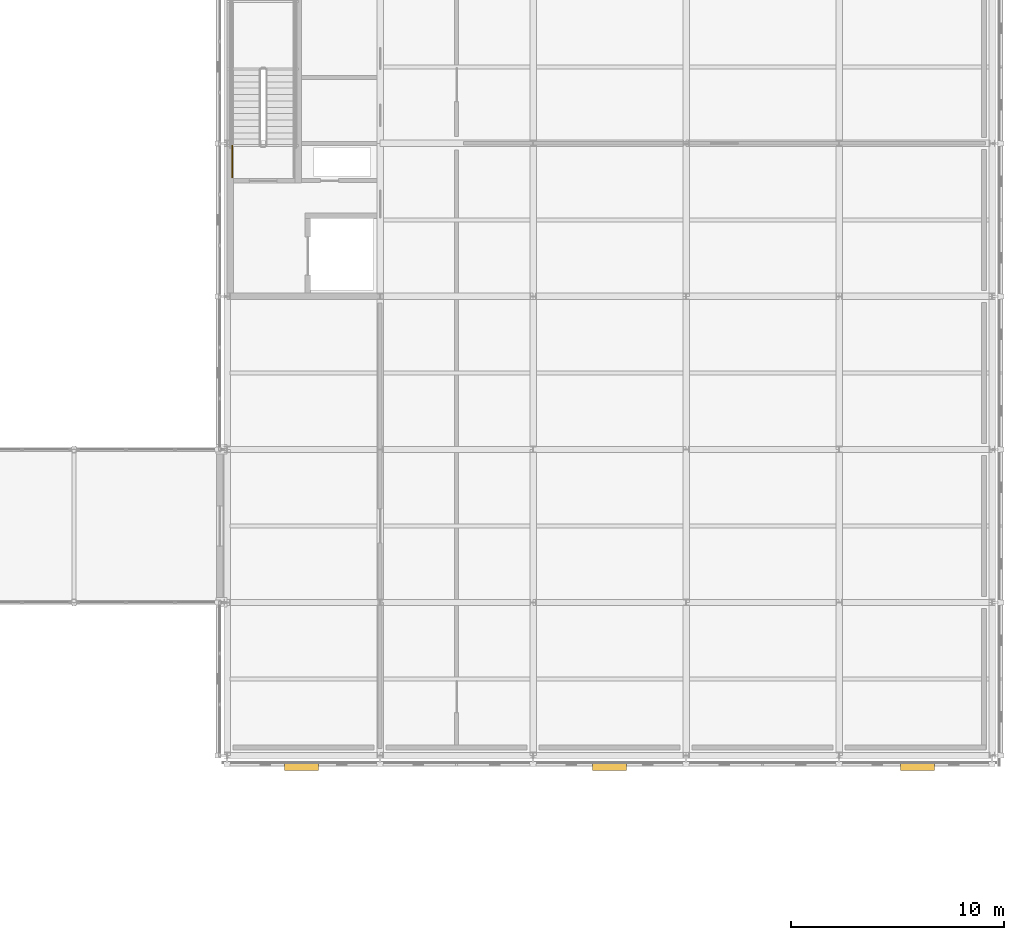
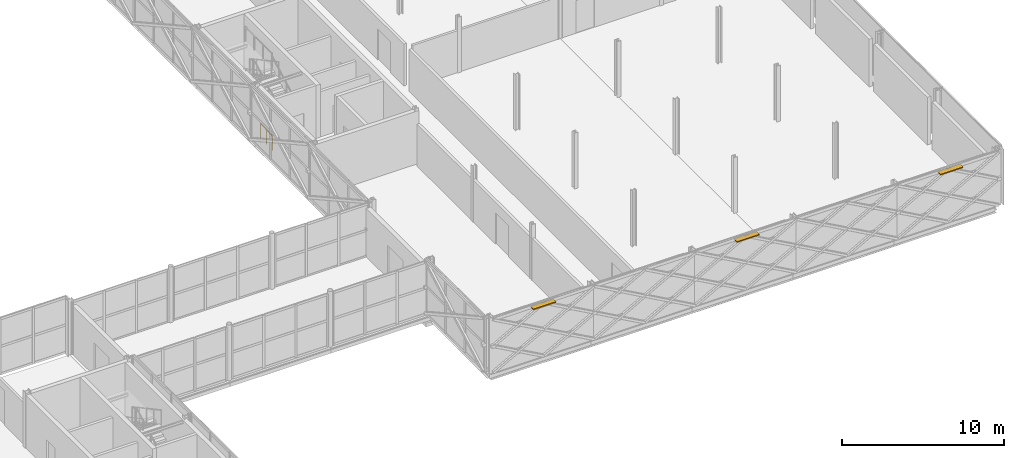
# One storey, part 144 of 146: 3 shading devices, 1 railing.
"""IFC4 building model written with IfcOpenShell, lengths in metres."""

from ifc_helpers import new_model, si_unit, direction, frame, origin, origin_2d, place, context, subcontext, project, spatial, rectangle, circle, extrude, material, type_object, element, save


model = new_model("IFC4")

# Units and contexts
model_context = context("Model", 3, precision=1e-05, world=origin(), true_north=direction((0.0, 1.0)))
body_context = subcontext(model_context, "Body", "Model", "MODEL_VIEW")
ifc_project = project(units=[si_unit("LENGTHUNIT", "METRE"), si_unit("AREAUNIT", "SQUARE_METRE"), si_unit("VOLUMEUNIT", "CUBIC_METRE"), si_unit("PLANEANGLEUNIT", "RADIAN"), si_unit("MASSUNIT", "GRAM", prefix="KILO")], contexts=[model_context])

# Site, building, storey
site_placement = place(None, origin())
site = spatial("IfcSite", under=ifc_project, at=site_placement, CompositionType="ELEMENT")
building_placement = place(site_placement, origin())
building = spatial("IfcBuilding", under=site, at=building_placement, Name="Zlatovets Crest Museum", CompositionType="ELEMENT")
storey_placement = place(building_placement, frame((0.0, 0.0, 4.5)))
storey = spatial("IfcBuildingStorey", under=building, at=storey_placement, Name="L01", CompositionType="ELEMENT", Elevation=4.5)

# Railing
ifc_material_1 = material(Name="Painted steel safety guardrail", Category="steel")
railing_type = type_object("IfcRailingType", Name="StairGuard_SG01", PredefinedType="GUARDRAIL", material=ifc_material_1)
railing_placement = place(storey_placement, frame((129.85009765625, 41.60009765625, 0.0)))
element("IfcRailing", 1, at=railing_placement, inside=storey, type_object=railing_type, Name="L01 ST5 stair guard 8", PredefinedType="GUARDRAIL", context=body_context, shape_type="SweptSolid", body=[
    extrude(circle(Radius=0.02392578125, at=origin_2d()), frame((0.0, 0.0, 1.076171875), z_axis=(0.0, 1.0, 0.0), x_axis=(-1.0, 0.0, 0.0)), (0.0, 0.0, 1.0), 1.5),
    extrude(circle(Radius=0.02099609375, at=origin_2d()), origin(), (0.0, 0.0, 1.0), 1.052001953125),
    extrude(circle(Radius=0.02099609375, at=origin_2d()), frame((0.0, 0.75, 0.0)), (0.0, 0.0, 1.0), 1.052001953125),
    extrude(circle(Radius=0.02099609375, at=origin_2d()), frame((0.0, 1.5, 0.0)), (0.0, 0.0, 1.0), 1.052001953125),
])

# Shading devices
ifc_material_2 = material(Name="Patinated bronze solar-control louvre", Category="aluminium")
shading_device_type = type_object("IfcShadingDeviceType", Name="SunLouvre_SL01", PredefinedType="JALOUSIE", material=ifc_material_2)
for number, where, z_axis, x_axis, name in (
    (2, (133.10009765625, 13.860107421875, 4.010009765625), (0.0, 0.0, 1.0), (1.0, 0.0, 0.0), "Bronze Solar-Control Louvre Hood"),
    (3, (147.60009765625, 13.860107421875, 4.010009765625), (0.0, 0.0, 1.0), (1.0, 0.0, 0.0), "Bronze Solar-Control Louvre Hood"),
    (4, (162.10009765625, 13.860107421875, 4.010009765625), (0.0, 0.0, 1.0), (1.0, 0.0, 0.0), "Bronze Solar-Control Louvre Hood"),
):
    element("IfcShadingDevice", number, at=place(storey_placement, frame(where, z_axis=z_axis, x_axis=x_axis)), inside=storey, type_object=shading_device_type, Name=name, PredefinedType="JALOUSIE", context=body_context, shape_type="SweptSolid", body=[
        extrude(rectangle(XDim=1.60009765625, YDim=0.35009765625, at=origin_2d()), origin(), (0.0, 0.0, 1.0), 0.080078125),
    ])

save(model, "model.ifc")
